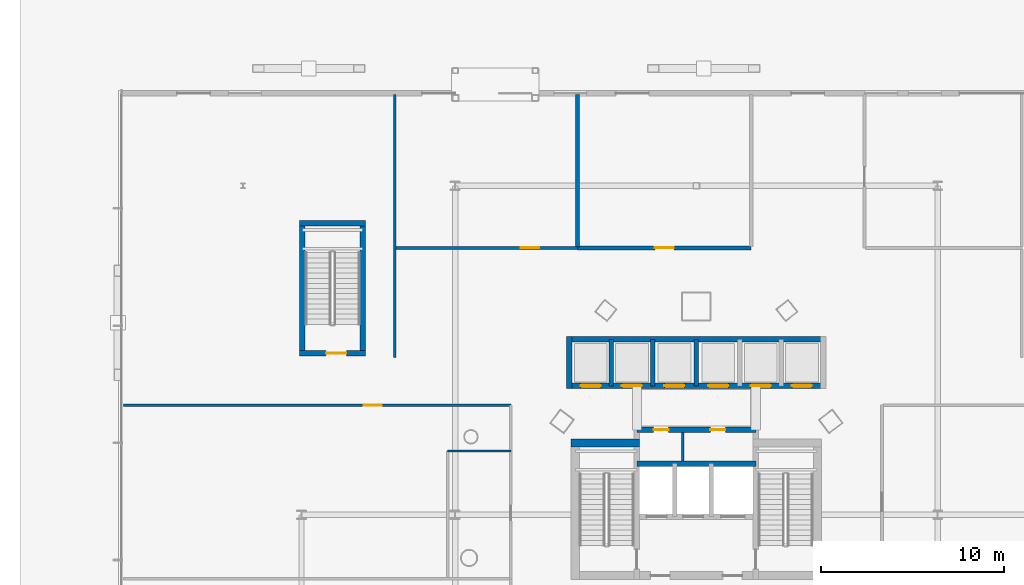
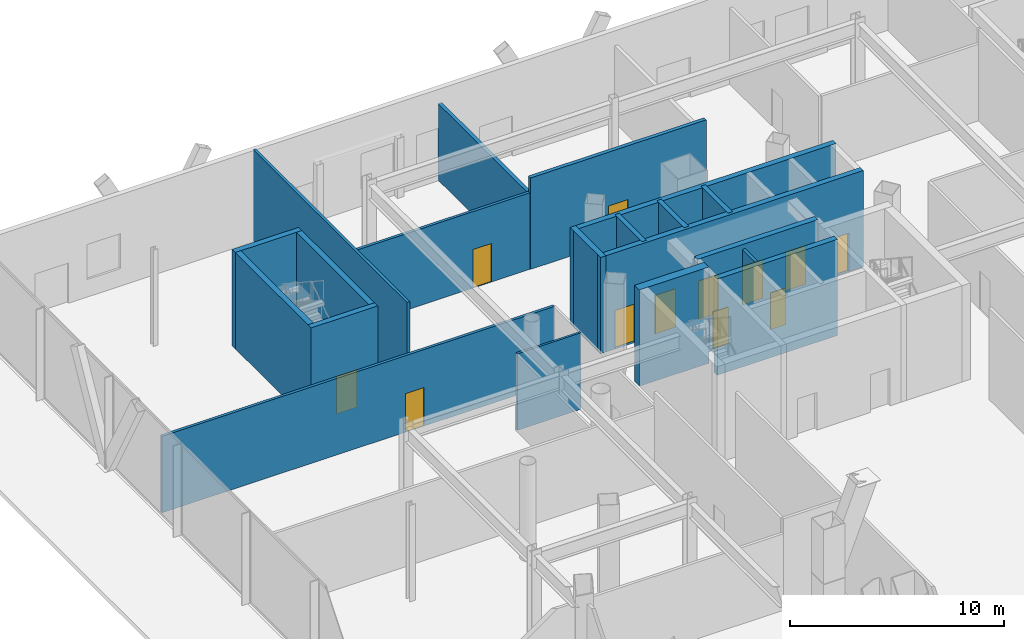
# One storey, part 28 of 38: 20 walls, 12 doors, 12 openings.
"""IFC4 building model written with IfcOpenShell, lengths in metres."""

from ifc_helpers import new_model, si_unit, direction, frame, frame_2d, origin, place, context, subcontext, project, spatial, rectangle, extrude, material, layer, layer_set, type_object, element, fill, save


model = new_model("IFC4")

# Units and contexts
model_context = context("Model", 3, precision=1e-05, world=origin(), true_north=direction((0.0, 1.0)))
body_context = subcontext(model_context, "Body", "Model", "MODEL_VIEW")
ifc_project = project(units=[si_unit("LENGTHUNIT", "METRE"), si_unit("AREAUNIT", "SQUARE_METRE"), si_unit("VOLUMEUNIT", "CUBIC_METRE"), si_unit("PLANEANGLEUNIT", "RADIAN"), si_unit("MASSUNIT", "GRAM", prefix="KILO")], contexts=[model_context])

# Site, building, storey
site_placement = place(None, origin())
site = spatial("IfcSite", under=ifc_project, at=site_placement, CompositionType="ELEMENT")
building_placement = place(site_placement, origin())
building = spatial("IfcBuilding", under=site, at=building_placement, Name="Orvanel Arch Residences", CompositionType="ELEMENT")
storey_placement = place(building_placement, origin())
storey = spatial("IfcBuildingStorey", under=building, at=storey_placement, Name="L00", CompositionType="ELEMENT", Elevation=0.0)

# Walls
ifc_material_1 = material(Name="Concrete N50 (50 MPa)", Category="concrete")
ifc_layer_1 = layer(ifc_material_1, 0.25)
ifc_layer_set_1 = layer_set([ifc_layer_1], Name="Concrete N50 (50 MPa)")
wall_type_1 = type_object("IfcWallType", Name="SW-CORE-250", PredefinedType="SHEAR", material=ifc_layer_set_1)
for number, where, z_axis, x_axis, name in (
    (1, (28.35009765625, 37.050048828125, 0.0), (0.0, 0.0, 1.0), (0.0, 1.0, 0.0), "L00 Passenger Lift Inter-Shaft Wall P13"),
    (2, (30.625, 37.050048828125, 0.0), (0.0, 0.0, 1.0), (0.0, 1.0, 0.0), "L00 Passenger Lift Inter-Shaft Wall P35"),
    (3, (33.0, 37.050048828125, 0.0), (0.0, 0.0, 1.0), (0.0, 1.0, 0.0), "L00 Passenger Lift Inter-Shaft Wall P56"),
):
    element("IfcWall", number, at=place(storey_placement, frame(where, z_axis=z_axis, x_axis=x_axis)), inside=storey, type_object=wall_type_1, Name=name, PredefinedType="SHEAR", context=body_context, shape_type="SweptSolid", body=[
        extrude(rectangle(XDim=2.550048828125, YDim=0.25, at=frame_2d((1.27490234375, 0.0))), origin(), (0.0, 0.0, 1.0), 5.5),
    ])
ifc_material_2 = material(Name="Concrete S80 (80 MPa)", Category="concrete")
ifc_layer_2 = layer(ifc_material_2, 0.300048828125)
ifc_layer_set_2 = layer_set([ifc_layer_2], Name="Concrete S80 (80 MPa)")
wall_type_2 = type_object("IfcWallType", Name="SW-CORE-300", PredefinedType="SHEAR", material=ifc_layer_set_2)
wall_1_placement = place(storey_placement, frame((29.75, 32.800048828125, 0.0), z_axis=(0.0, 0.0, 1.0), x_axis=(1.0, 0.0, 0.0)))
element("IfcWall", 4, at=wall_1_placement, inside=storey, type_object=wall_type_2, Name="L00 Emergency Lift Back Core Shear Wall", PredefinedType="SHEAR", context=body_context, shape_type="SweptSolid", body=[
    extrude(rectangle(XDim=6.5, YDim=0.300048828125, at=frame_2d((3.25, 0.0))), origin(), (0.0, 0.0, 1.0), 5.5),
])

# Wall, openings, doors
wall_2_placement = place(storey_placement, frame((29.75, 34.64990234375, 0.0), z_axis=(0.0, 0.0, 1.0), x_axis=(1.0, 0.0, 0.0)))
wall_2 = element("IfcWall", 5, at=wall_2_placement, inside=storey, type_object=wall_type_2, Name="L00 Core Service Band North Shear Wall", PredefinedType="SHEAR", context=body_context, shape_type="SweptSolid", body=[
    extrude(rectangle(XDim=6.5, YDim=0.300048828125, at=frame_2d((3.25, 0.0))), origin(), (0.0, 0.0, 1.0), 5.5),
])
opening_1_placement = place(wall_2_placement, frame((0.9150390625, 0.0, 0.0)))
opening_1 = element("IfcOpeningElement", 6, at=opening_1_placement, cuts=wall_2, Name="Opening DS-082", PredefinedType="OPENING", context=body_context, shape_type="SweptSolid", body=[
    extrude(rectangle(XDim=0.820068359375, YDim=2.10009765625, at=frame_2d((0.41015625, 1.050048828125))), frame((0.0, 0.159912109375, 0.0), z_axis=(0.0, -1.0, 0.0), x_axis=(1.0, 0.0, 0.0)), (0.0, 0.0, 1.0), 0.320068359375),
])
opening_2_placement = place(wall_2_placement, frame((4.014892578125, 0.0, 0.0)))
opening_2 = element("IfcOpeningElement", 7, at=opening_2_placement, cuts=wall_2, Name="Opening DW-082", PredefinedType="OPENING", context=body_context, shape_type="SweptSolid", body=[
    extrude(rectangle(XDim=0.820068359375, YDim=2.10009765625, at=frame_2d((0.41015625, 1.050048828125))), frame((0.0, 0.159912109375, 0.0), z_axis=(0.0, -1.0, 0.0), x_axis=(1.0, 0.0, 0.0)), (0.0, 0.0, 1.0), 0.320068359375),
])
ifc_material_3 = material(Name="Galvanised steel fire-resisting door assembly", Category="steel")
door_type_1 = type_object("IfcDoorType", Name="DR-SVC-820", OperationType="NOTDEFINED", PredefinedType="DOOR", material=ifc_material_3)
door_1_placement = place(opening_1_placement, origin())
door_1 = element("IfcDoor", 8, at=door_1_placement, inside=storey, type_object=door_type_1, Name="DR-L00-CSVC-1 L00 Floor Cleaner's Store Door", OperationType="SINGLE_SWING_LEFT", OverallHeight=2.10009765625, OverallWidth=0.820068359375, PredefinedType="DOOR", context=body_context, shape_type="SweptSolid", body=[
    extrude(rectangle(XDim=0.820068359375, YDim=2.10009765625, at=frame_2d((0.41015625, 1.050048828125))), frame((0.0, 0.02490234375, 0.0), z_axis=(0.0, -1.0, 0.0), x_axis=(1.0, 0.0, 0.0)), (0.0, 0.0, 1.0), 0.050048828125),
])
fill(opening_1, door_1)
ifc_material_4 = material(Name="Solid-core European oak veneer fire door leaf", Category="wood")
door_type_2 = type_object("IfcDoorType", Name="DR-WET-820", OperationType="NOTDEFINED", PredefinedType="DOOR", material=ifc_material_4)
door_2_placement = place(opening_2_placement, origin())
door_2 = element("IfcDoor", 9, at=door_2_placement, inside=storey, type_object=door_type_2, Name="DR-L00-CSVC-2 L00 Core Accessible WC Door", OperationType="SINGLE_SWING_LEFT", OverallHeight=2.10009765625, OverallWidth=0.820068359375, PredefinedType="DOOR", context=body_context, shape_type="SweptSolid", body=[
    extrude(rectangle(XDim=0.820068359375, YDim=2.10009765625, at=frame_2d((0.41015625, 1.050048828125))), frame((0.0, 0.02490234375, 0.0), z_axis=(0.0, -1.0, 0.0), x_axis=(1.0, 0.0, 0.0)), (0.0, 0.0, 1.0), 0.050048828125),
])
fill(opening_2, door_2)

wall_3_placement = place(storey_placement, frame((40.10009765625, 37.050048828125, 0.0), z_axis=(0.0, 0.0, 1.0), x_axis=(-1.0, 0.0, 0.0)))
wall_3 = element("IfcWall", 10, at=wall_3_placement, inside=storey, type_object=wall_type_2, Name="L00 Passenger Lift Bank Front Shear Wall", PredefinedType="SHEAR", context=body_context, shape_type="SweptSolid", body=[
    extrude(rectangle(XDim=14.2001953125, YDim=0.300048828125, at=frame_2d((7.10009765625, 0.0))), origin(), (0.0, 0.0, 1.0), 5.5),
])
opening_3_placement = place(wall_3_placement, frame((12.324951171875, 0.0, 0.0)))
opening_3 = element("IfcOpeningElement", 11, at=opening_3_placement, cuts=wall_3, Name="Opening LD-110", PredefinedType="OPENING", context=body_context, shape_type="SweptSolid", body=[
    extrude(rectangle(XDim=1.10009765625, YDim=2.199951171875, at=frame_2d((0.550048828125, 1.10009765625))), frame((0.0, 0.159912109375, 0.0), z_axis=(0.0, -1.0, 0.0), x_axis=(1.0, 0.0, 0.0)), (0.0, 0.0, 1.0), 0.320068359375),
])
opening_4_placement = place(wall_3_placement, frame((0.77490234375, 0.0, 0.0)))
opening_4 = element("IfcOpeningElement", 12, at=opening_4_placement, cuts=wall_3, Name="Opening LD-110", PredefinedType="OPENING", context=body_context, shape_type="SweptSolid", body=[
    extrude(rectangle(XDim=1.10009765625, YDim=2.199951171875, at=frame_2d((0.550048828125, 1.10009765625))), frame((0.0, 0.159912109375, 0.0), z_axis=(0.0, -1.0, 0.0), x_axis=(1.0, 0.0, 0.0)), (0.0, 0.0, 1.0), 0.320068359375),
])
opening_5_placement = place(wall_3_placement, frame((10.074951171875, 0.0, 0.0)))
opening_5 = element("IfcOpeningElement", 13, at=opening_5_placement, cuts=wall_3, Name="Opening LD-110", PredefinedType="OPENING", context=body_context, shape_type="SweptSolid", body=[
    extrude(rectangle(XDim=1.10009765625, YDim=2.199951171875, at=frame_2d((0.550048828125, 1.10009765625))), frame((0.0, 0.159912109375, 0.0), z_axis=(0.0, -1.0, 0.0), x_axis=(1.0, 0.0, 0.0)), (0.0, 0.0, 1.0), 0.320068359375),
])
opening_6_placement = place(wall_3_placement, frame((3.02490234375, 0.0, 0.0)))
opening_6 = element("IfcOpeningElement", 14, at=opening_6_placement, cuts=wall_3, Name="Opening LD-110", PredefinedType="OPENING", context=body_context, shape_type="SweptSolid", body=[
    extrude(rectangle(XDim=1.10009765625, YDim=2.199951171875, at=frame_2d((0.550048828125, 1.10009765625))), frame((0.0, 0.159912109375, 0.0), z_axis=(0.0, -1.0, 0.0), x_axis=(1.0, 0.0, 0.0)), (0.0, 0.0, 1.0), 0.320068359375),
])
opening_7_placement = place(wall_3_placement, frame((7.75, 0.0, 0.0)))
opening_7 = element("IfcOpeningElement", 15, at=opening_7_placement, cuts=wall_3, Name="Opening LD-110", PredefinedType="OPENING", context=body_context, shape_type="SweptSolid", body=[
    extrude(rectangle(XDim=1.10009765625, YDim=2.199951171875, at=frame_2d((0.550048828125, 1.10009765625))), frame((0.0, 0.159912109375, 0.0), z_axis=(0.0, -1.0, 0.0), x_axis=(1.0, 0.0, 0.0)), (0.0, 0.0, 1.0), 0.320068359375),
])
opening_8_placement = place(wall_3_placement, frame((5.35009765625, 0.0, 0.0)))
opening_8 = element("IfcOpeningElement", 16, at=opening_8_placement, cuts=wall_3, Name="Opening LD-110", PredefinedType="OPENING", context=body_context, shape_type="SweptSolid", body=[
    extrude(rectangle(XDim=1.10009765625, YDim=2.199951171875, at=frame_2d((0.550048828125, 1.10009765625))), frame((0.0, 0.159912109375, 0.0), z_axis=(0.0, -1.0, 0.0), x_axis=(1.0, 0.0, 0.0)), (0.0, 0.0, 1.0), 0.320068359375),
])
door_type_3 = type_object("IfcDoorType", Name="DR-LFT-1100", OperationType="NOTDEFINED", PredefinedType="DOOR", material=ifc_material_3)
door_3_placement = place(opening_3_placement, origin())
door_3 = element("IfcDoor", 17, at=door_3_placement, inside=storey, type_object=door_type_3, Name="LD-P1-L00 L00 Passenger Lift P1 Sliding Landing Door", OperationType="DOUBLE_DOOR_SLIDING", OverallHeight=2.199951171875, OverallWidth=1.10009765625, PredefinedType="DOOR", context=body_context, shape_type="SweptSolid", body=[
    extrude(rectangle(XDim=1.10009765625, YDim=2.199951171875, at=frame_2d((0.550048828125, 1.10009765625))), frame((0.0, 0.02490234375, 0.0), z_axis=(0.0, -1.0, 0.0), x_axis=(1.0, 0.0, 0.0)), (0.0, 0.0, 1.0), 0.050048828125),
])
fill(opening_3, door_3)
door_4_placement = place(opening_4_placement, origin())
door_4 = element("IfcDoor", 18, at=door_4_placement, inside=storey, type_object=door_type_3, Name="LD-P2-L00 L00 Passenger Lift P2 Sliding Landing Door", OperationType="DOUBLE_DOOR_SLIDING", OverallHeight=2.199951171875, OverallWidth=1.10009765625, PredefinedType="DOOR", context=body_context, shape_type="SweptSolid", body=[
    extrude(rectangle(XDim=1.10009765625, YDim=2.199951171875, at=frame_2d((0.550048828125, 1.10009765625))), frame((0.0, 0.02490234375, 0.0), z_axis=(0.0, -1.0, 0.0), x_axis=(1.0, 0.0, 0.0)), (0.0, 0.0, 1.0), 0.050048828125),
])
fill(opening_4, door_4)
door_5_placement = place(opening_5_placement, origin())
door_5 = element("IfcDoor", 19, at=door_5_placement, inside=storey, type_object=door_type_3, Name="LD-P3-L00 L00 Passenger Lift P3 Sliding Landing Door", OperationType="DOUBLE_DOOR_SLIDING", OverallHeight=2.199951171875, OverallWidth=1.10009765625, PredefinedType="DOOR", context=body_context, shape_type="SweptSolid", body=[
    extrude(rectangle(XDim=1.10009765625, YDim=2.199951171875, at=frame_2d((0.550048828125, 1.10009765625))), frame((0.0, 0.02490234375, 0.0), z_axis=(0.0, -1.0, 0.0), x_axis=(1.0, 0.0, 0.0)), (0.0, 0.0, 1.0), 0.050048828125),
])
fill(opening_5, door_5)
door_6_placement = place(opening_6_placement, origin())
door_6 = element("IfcDoor", 20, at=door_6_placement, inside=storey, type_object=door_type_3, Name="LD-P4-L00 L00 Passenger Lift P4 Sliding Landing Door", OperationType="DOUBLE_DOOR_SLIDING", OverallHeight=2.199951171875, OverallWidth=1.10009765625, PredefinedType="DOOR", context=body_context, shape_type="SweptSolid", body=[
    extrude(rectangle(XDim=1.10009765625, YDim=2.199951171875, at=frame_2d((0.550048828125, 1.10009765625))), frame((0.0, 0.02490234375, 0.0), z_axis=(0.0, -1.0, 0.0), x_axis=(1.0, 0.0, 0.0)), (0.0, 0.0, 1.0), 0.050048828125),
])
fill(opening_6, door_6)
door_7_placement = place(opening_7_placement, origin())
door_7 = element("IfcDoor", 21, at=door_7_placement, inside=storey, type_object=door_type_3, Name="LD-P5-L00 L00 Passenger Lift P5 Sliding Landing Door", OperationType="DOUBLE_DOOR_SLIDING", OverallHeight=2.199951171875, OverallWidth=1.10009765625, PredefinedType="DOOR", context=body_context, shape_type="SweptSolid", body=[
    extrude(rectangle(XDim=1.10009765625, YDim=2.199951171875, at=frame_2d((0.550048828125, 1.10009765625))), frame((0.0, 0.02490234375, 0.0), z_axis=(0.0, -1.0, 0.0), x_axis=(1.0, 0.0, 0.0)), (0.0, 0.0, 1.0), 0.050048828125),
])
fill(opening_7, door_7)
door_8_placement = place(opening_8_placement, origin())
door_8 = element("IfcDoor", 22, at=door_8_placement, inside=storey, type_object=door_type_3, Name="LD-P6-L00 L00 Passenger Lift P6 Sliding Landing Door", OperationType="DOUBLE_DOOR_SLIDING", OverallHeight=2.199951171875, OverallWidth=1.10009765625, PredefinedType="DOOR", context=body_context, shape_type="SweptSolid", body=[
    extrude(rectangle(XDim=1.10009765625, YDim=2.199951171875, at=frame_2d((0.550048828125, 1.10009765625))), frame((0.0, 0.02490234375, 0.0), z_axis=(0.0, -1.0, 0.0), x_axis=(1.0, 0.0, 0.0)), (0.0, 0.0, 1.0), 0.050048828125),
])
fill(opening_8, door_8)

# Walls
wall_4_placement = place(storey_placement, frame((25.89990234375, 39.60009765625, 0.0), z_axis=(0.0, 0.0, 1.0), x_axis=(1.0, 0.0, 0.0)))
element("IfcWall", 23, at=wall_4_placement, inside=storey, type_object=wall_type_2, Name="L00 Passenger Lift Bank North Shear Wall", PredefinedType="SHEAR", context=body_context, shape_type="SweptSolid", body=[
    extrude(rectangle(XDim=14.2001953125, YDim=0.300048828125, at=frame_2d((7.10009765625, 0.0))), origin(), (0.0, 0.0, 1.0), 5.5),
])
wall_5_placement = place(storey_placement, frame((26.050048828125, 36.89990234375, 0.0), z_axis=(0.0, 0.0, 1.0), x_axis=(0.0, 1.0, 0.0)))
element("IfcWall", 24, at=wall_5_placement, inside=storey, type_object=wall_type_2, Name="L00 Passenger Lift Bank West Shear Wall", PredefinedType="SHEAR", context=body_context, shape_type="SweptSolid", body=[
    extrude(rectangle(XDim=2.85009765625, YDim=0.300048828125, at=frame_2d((1.425048828125, 0.0))), origin(), (0.0, 0.0, 1.0), 5.5),
])
for number, where, z_axis, x_axis, name in (
    (25, (11.449951171875, 38.699951171875, 0.0), (0.0, 0.0, 1.0), (0.0, 1.0, 0.0), "L00 ST3 West Shear Wall"),
    (26, (14.75, 38.699951171875, 0.0), (0.0, 0.0, 1.0), (0.0, 1.0, 0.0), "L00 ST3 East Shear Wall"),
):
    element("IfcWall", number, at=place(storey_placement, frame(where, z_axis=z_axis, x_axis=x_axis)), inside=storey, type_object=wall_type_2, Name=name, PredefinedType="SHEAR", context=body_context, shape_type="SweptSolid", body=[
        extrude(rectangle(XDim=7.400146484375, YDim=0.300048828125, at=frame_2d((3.7001953125, 0.0))), origin(), (0.0, 0.0, 1.0), 5.5),
    ])
wall_6_placement = place(storey_placement, frame((11.300048828125, 45.949951171875, 0.0), z_axis=(0.0, 0.0, 1.0), x_axis=(1.0, 0.0, 0.0)))
element("IfcWall", 27, at=wall_6_placement, inside=storey, type_object=wall_type_2, Name="L00 ST3 North Shear Wall", PredefinedType="SHEAR", context=body_context, shape_type="SweptSolid", body=[
    extrude(rectangle(XDim=3.599853515625, YDim=0.300048828125, at=frame_2d((1.7998046875, 0.0))), origin(), (0.0, 0.0, 1.0), 5.5),
])

# Wall, opening, door
wall_7_placement = place(storey_placement, frame((14.89990234375, 38.85009765625, 0.0), z_axis=(0.0, 0.0, 1.0), x_axis=(-1.0, 0.0, 0.0)))
wall_7 = element("IfcWall", 28, at=wall_7_placement, inside=storey, type_object=wall_type_2, Name="L00 ST3 South Shear Wall", PredefinedType="SHEAR", context=body_context, shape_type="SweptSolid", body=[
    extrude(rectangle(XDim=3.599853515625, YDim=0.300048828125, at=frame_2d((1.7998046875, 0.0))), origin(), (0.0, 0.0, 1.0), 5.5),
])
opening_9_placement = place(wall_7_placement, frame((1.050048828125, 0.0, 0.0)))
opening_9 = element("IfcOpeningElement", 29, at=opening_9_placement, cuts=wall_7, Name="Opening DE-110", PredefinedType="OPENING", context=body_context, shape_type="SweptSolid", body=[
    extrude(rectangle(XDim=1.10009765625, YDim=2.14990234375, at=frame_2d((0.550048828125, 1.074951171875))), frame((0.0, 0.159912109375, 0.0), z_axis=(0.0, -1.0, 0.0), x_axis=(1.0, 0.0, 0.0)), (0.0, 0.0, 1.0), 0.320068359375),
])
door_type_4 = type_object("IfcDoorType", Name="DR-ESC-1100", OperationType="NOTDEFINED", PredefinedType="DOOR", material=ifc_material_3)
door_9_placement = place(opening_9_placement, origin())
door_9 = element("IfcDoor", 30, at=door_9_placement, inside=storey, type_object=door_type_4, Name="DR-L00-ST3 L00 ST3 Exit Door", OperationType="SINGLE_SWING_LEFT", OverallHeight=2.14990234375, OverallWidth=1.10009765625, PredefinedType="DOOR", context=body_context, shape_type="SweptSolid", body=[
    extrude(rectangle(XDim=1.10009765625, YDim=2.14990234375, at=frame_2d((0.550048828125, 1.074951171875))), frame((0.0, 0.02490234375, 0.0), z_axis=(0.0, -1.0, 0.0), x_axis=(1.0, 0.0, 0.0)), (0.0, 0.0, 1.0), 0.050048828125),
])
fill(opening_9, door_9)

# Walls
ifc_layer_3 = layer(ifc_material_2, 0.449951171875)
ifc_layer_set_3 = layer_set([ifc_layer_3], Name="Concrete S80 (80 MPa)")
wall_type_3 = type_object("IfcWallType", Name="SW-CORE-450", PredefinedType="SHEAR", material=ifc_layer_set_3)
wall_8_placement = place(storey_placement, frame((26.14990234375, 33.925048828125, 0.0), z_axis=(0.0, 0.0, 1.0), x_axis=(1.0, 0.0, 0.0)))
element("IfcWall", 31, at=wall_8_placement, inside=storey, type_object=wall_type_3, Name="L00 West Stair North Shear Wall", PredefinedType="SHEAR", context=body_context, shape_type="SweptSolid", body=[
    extrude(rectangle(XDim=3.75, YDim=0.449951171875, at=frame_2d((1.875, 0.0))), origin(), (0.0, 0.0, 1.0), 5.5),
])
ifc_material_5 = material(Name="Fire-rated plasterboard lined steel stud partition", Category="steel")
ifc_layer_4 = layer(ifc_material_5, 0.199951171875)
ifc_layer_set_4 = layer_set([ifc_layer_4], Name="Fire-rated plasterboard lined steel stud partition")
wall_type_4 = type_object("IfcWallType", Name="W-PLT-200", PredefinedType="PARTITIONING", material=ifc_layer_set_4)
wall_9_placement = place(storey_placement, frame((26.5, 44.659912109375, 0.0), z_axis=(0.0, 0.0, 1.0), x_axis=(0.0, 1.0, 0.0)))
element("IfcWall", 32, at=wall_9_placement, inside=storey, type_object=wall_type_4, Name="L00 FCC West Wall", PredefinedType="PARTITIONING", context=body_context, shape_type="SweptSolid", body=[
    extrude(rectangle(XDim=8.340087890625, YDim=0.199951171875, at=frame_2d((4.169921875, 0.0))), origin(), (0.0, 0.0, 1.0), 4.368896484375),
])

# Wall, opening, door
wall_10_placement = place(storey_placement, frame((26.5, 44.60009765625, 0.0), z_axis=(0.0, 0.0, 1.0), x_axis=(1.0, 0.0, 0.0)))
wall_10 = element("IfcWall", 33, at=wall_10_placement, inside=storey, type_object=wall_type_4, Name="L00 FCC South Wall", PredefinedType="PARTITIONING", context=body_context, shape_type="SweptSolid", body=[
    extrude(rectangle(XDim=9.5, YDim=0.199951171875, at=frame_2d((4.75, 0.0))), origin(), (0.0, 0.0, 1.0), 5.219970703125),
])
opening_10_placement = place(wall_10_placement, frame((4.22509765625, 0.0, 0.0)))
opening_10 = element("IfcOpeningElement", 34, at=opening_10_placement, cuts=wall_10, Name="Opening DF-120", PredefinedType="OPENING", context=body_context, shape_type="SweptSolid", body=[
    extrude(rectangle(XDim=1.050048828125, YDim=2.14990234375, at=frame_2d((0.52490234375, 1.074951171875))), frame((0.0, 0.10986328125, 0.0), z_axis=(0.0, -1.0, 0.0), x_axis=(1.0, 0.0, 0.0)), (0.0, 0.0, 1.0), 0.219970703125),
])
door_type_5 = type_object("IfcDoorType", Name="DR-FD120-1050", OperationType="NOTDEFINED", PredefinedType="DOOR", material=ifc_material_3)
door_10_placement = place(opening_10_placement, origin())
door_10 = element("IfcDoor", 35, at=door_10_placement, inside=storey, type_object=door_type_5, Name="DR-L00-FCC L00 Fire Command Centre Door", OperationType="SINGLE_SWING_LEFT", OverallHeight=2.14990234375, OverallWidth=1.050048828125, PredefinedType="DOOR", context=body_context, shape_type="SweptSolid", body=[
    extrude(rectangle(XDim=1.050048828125, YDim=2.14990234375, at=frame_2d((0.52490234375, 1.074951171875))), frame((0.0, 0.02490234375, 0.0), z_axis=(0.0, -1.0, 0.0), x_axis=(1.0, 0.0, 0.0)), (0.0, 0.0, 1.0), 0.050048828125),
])
fill(opening_10, door_10)

ifc_material_6 = material(Name="Acoustic plasterboard lined twin-stud partition", Category="gypsum")
ifc_layer_5 = layer(ifc_material_6, 0.14990234375)
ifc_layer_set_5 = layer_set([ifc_layer_5], Name="Acoustic plasterboard lined twin-stud partition")
wall_type_5 = type_object("IfcWallType", Name="W-POD-150", PredefinedType="PARTITIONING", material=ifc_layer_set_5)
wall_11_placement = place(storey_placement, frame((1.64990234375, 36.0, 0.0), z_axis=(0.0, 0.0, 1.0), x_axis=(1.0, 0.0, 0.0)))
wall_11 = element("IfcWall", 36, at=wall_11_placement, inside=storey, type_object=wall_type_5, Name="L00 Clinical Store North Wall", PredefinedType="PARTITIONING", context=body_context, shape_type="SweptSolid", body=[
    extrude(rectangle(XDim=21.2001953125, YDim=0.14990234375, at=frame_2d((10.60009765625, 0.0))), origin(), (0.0, 0.0, 1.0), 4.368896484375),
])
opening_11_placement = place(wall_11_placement, frame((13.14990234375, 0.0, 0.0)))
opening_11 = element("IfcOpeningElement", 37, at=opening_11_placement, cuts=wall_11, Name="Opening DP-100", PredefinedType="OPENING", context=body_context, shape_type="SweptSolid", body=[
    extrude(rectangle(XDim=1.0, YDim=2.199951171875, at=frame_2d((0.5, 1.10009765625))), frame((0.0, 0.0849609375, 0.0), z_axis=(0.0, -1.0, 0.0), x_axis=(1.0, 0.0, 0.0)), (0.0, 0.0, 1.0), 0.169921875),
])
door_type_6 = type_object("IfcDoorType", Name="DR-POD-1000", OperationType="NOTDEFINED", PredefinedType="DOOR", material=ifc_material_4)
door_11_placement = place(opening_11_placement, origin())
door_11 = element("IfcDoor", 38, at=door_11_placement, inside=storey, type_object=door_type_6, Name="DR-L00-PARCEL L00 Clinical Store Door", OperationType="SINGLE_SWING_LEFT", OverallHeight=2.199951171875, OverallWidth=1.0, PredefinedType="DOOR", context=body_context, shape_type="SweptSolid", body=[
    extrude(rectangle(XDim=1.0, YDim=2.199951171875, at=frame_2d((0.5, 1.10009765625))), frame((0.0, 0.02490234375, 0.0), z_axis=(0.0, -1.0, 0.0), x_axis=(1.0, 0.0, 0.0)), (0.0, 0.0, 1.0), 0.050048828125),
])
fill(opening_11, door_11)

# Wall
wall_12_placement = place(storey_placement, frame((16.5, 38.60009765625, 0.0), z_axis=(0.0, 0.0, 1.0), x_axis=(0.0, 1.0, 0.0)))
element("IfcWall", 39, at=wall_12_placement, inside=storey, type_object=wall_type_5, Name="L00 Bike Store West Wall", PredefinedType="PARTITIONING", context=body_context, shape_type="SweptSolid", body=[
    extrude(rectangle(XDim=14.39990234375, YDim=0.14990234375, at=frame_2d((7.199951171875, 0.0))), origin(), (0.0, 0.0, 1.0), 5.219970703125),
])

# Wall, opening, door
wall_13_placement = place(storey_placement, frame((16.56005859375, 44.60009765625, 0.0), z_axis=(0.0, 0.0, 1.0), x_axis=(1.0, 0.0, 0.0)))
wall_13 = element("IfcWall", 40, at=wall_13_placement, inside=storey, type_object=wall_type_5, Name="L00 Bike Store South Wall", PredefinedType="PARTITIONING", context=body_context, shape_type="SweptSolid", body=[
    extrude(rectangle(XDim=9.93994140625, YDim=0.14990234375, at=frame_2d((4.969970703125, 0.0))), origin(), (0.0, 0.0, 1.0), 4.368896484375),
])
opening_12_placement = place(wall_13_placement, frame((6.840087890625, 0.0, 0.0)))
opening_12 = element("IfcOpeningElement", 41, at=opening_12_placement, cuts=wall_13, Name="Opening DP-100", PredefinedType="OPENING", context=body_context, shape_type="SweptSolid", body=[
    extrude(rectangle(XDim=1.0, YDim=2.199951171875, at=frame_2d((0.5, 1.10009765625))), frame((0.0, 0.0849609375, 0.0), z_axis=(0.0, -1.0, 0.0), x_axis=(1.0, 0.0, 0.0)), (0.0, 0.0, 1.0), 0.169921875),
])
door_12_placement = place(opening_12_placement, origin())
door_12 = element("IfcDoor", 42, at=door_12_placement, inside=storey, type_object=door_type_6, Name="DR-L00-BIKE L00 Bike Store Door", OperationType="SINGLE_SWING_LEFT", OverallHeight=2.199951171875, OverallWidth=1.0, PredefinedType="DOOR", context=body_context, shape_type="SweptSolid", body=[
    extrude(rectangle(XDim=1.0, YDim=2.199951171875, at=frame_2d((0.5, 1.10009765625))), frame((0.0, 0.02490234375, 0.0), z_axis=(0.0, -1.0, 0.0), x_axis=(1.0, 0.0, 0.0)), (0.0, 0.0, 1.0), 0.050048828125),
])
fill(opening_12, door_12)

# Walls
ifc_layer_6 = layer(ifc_material_5, 0.14990234375)
ifc_layer_set_6 = layer_set([ifc_layer_6], Name="Fire-rated plasterboard lined steel stud partition")
wall_type_6 = type_object("IfcWallType", Name="W-ST-150", PredefinedType="PARTITIONING", material=ifc_layer_set_6)
wall_14_placement = place(storey_placement, frame((32.25, 32.93505859375, 0.0), z_axis=(0.0, 0.0, 1.0), x_axis=(0.0, 1.0, 0.0)))
element("IfcWall", 43, at=wall_14_placement, inside=storey, type_object=wall_type_6, Name="L00 Core Service Partition 1", PredefinedType="PARTITIONING", context=body_context, shape_type="SweptSolid", body=[
    extrude(rectangle(XDim=1.579833984375, YDim=0.14990234375, at=frame_2d((0.7900390625, 0.0))), origin(), (0.0, 0.0, 1.0), 5.219970703125),
])
ifc_layer_7 = layer(ifc_material_6, 0.1201171875)
ifc_layer_set_7 = layer_set([ifc_layer_7], Name="Acoustic plasterboard lined twin-stud partition")
wall_type_7 = type_object("IfcWallType", Name="W-WET-120", PredefinedType="PARTITIONING", material=ifc_layer_set_7)
wall_15_placement = place(storey_placement, frame((19.39990234375, 33.5, 0.0), z_axis=(0.0, 0.0, 1.0), x_axis=(1.0, 0.0, 0.0)))
element("IfcWall", 44, at=wall_15_placement, inside=storey, type_object=wall_type_7, Name="L00 WC North Wall", PredefinedType="PARTITIONING", context=body_context, shape_type="SweptSolid", body=[
    extrude(rectangle(XDim=3.4501953125, YDim=0.1201171875, at=frame_2d((1.72509765625, 0.0))), origin(), (0.0, 0.0, 1.0), 4.368896484375),
])

save(model, "model.ifc")
